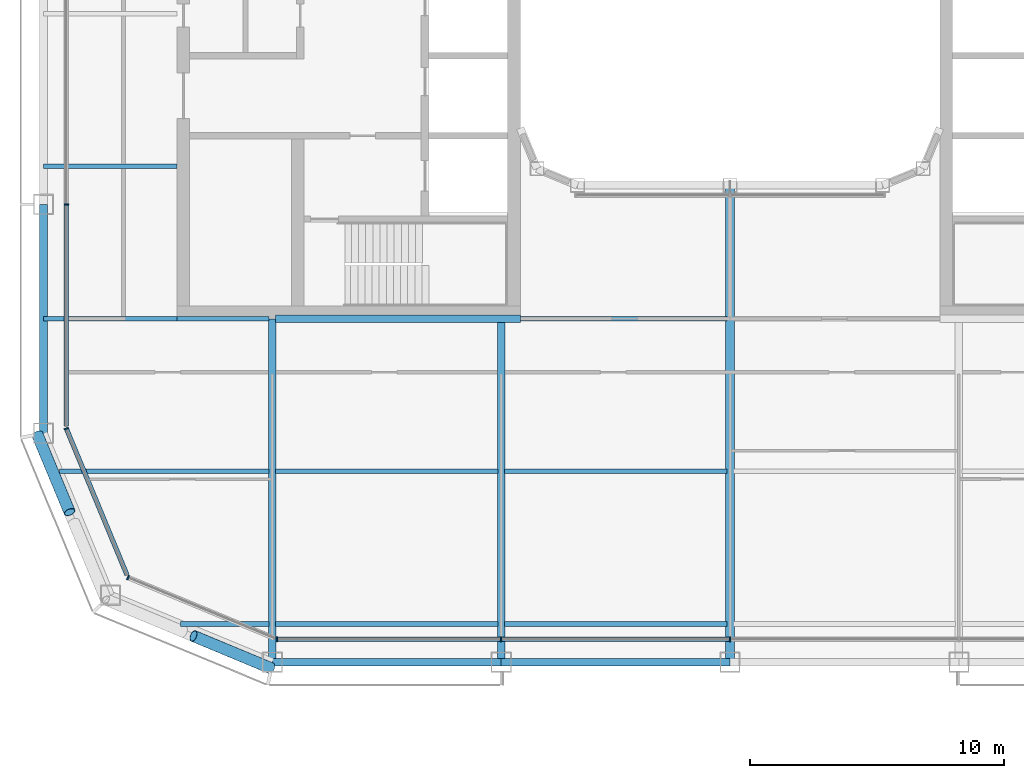
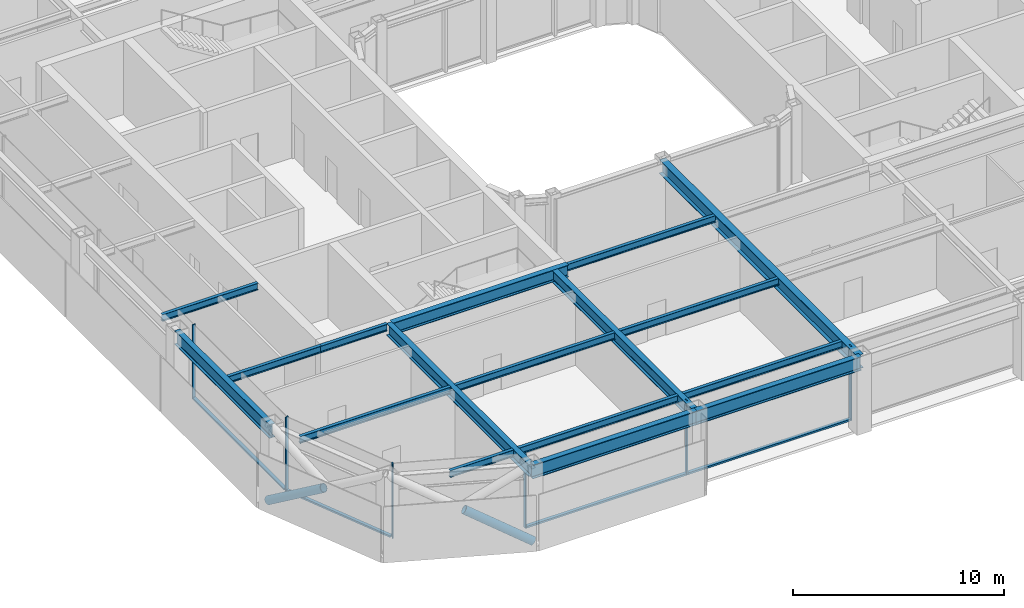
# One storey, part 2 of 23: 17 beams, 12 members, 4 elements without a shape of their own.
"""IFC4 building model written with IfcOpenShell, lengths in metres."""

from ifc_helpers import new_model, si_unit, direction, frame, origin, origin_2d, place, context, subcontext, project, spatial, rectangle, hollow_circle, i_section, extrude, material, layer, layer_set, material_profile, profile_set, type_object, element, aggregate, save


model = new_model("IFC4")

# Units and contexts
model_context = context("Model", 3, precision=1e-05, world=origin(), true_north=direction((0.0, 1.0)))
body_context = subcontext(model_context, "Body", "Model", "MODEL_VIEW")
ifc_project = project(units=[si_unit("LENGTHUNIT", "METRE"), si_unit("AREAUNIT", "SQUARE_METRE"), si_unit("VOLUMEUNIT", "CUBIC_METRE"), si_unit("PLANEANGLEUNIT", "RADIAN"), si_unit("MASSUNIT", "GRAM", prefix="KILO")], contexts=[model_context])

# Site, building, storey
site_placement = place(None, origin())
site = spatial("IfcSite", under=ifc_project, at=site_placement, CompositionType="ELEMENT")
building_placement = place(site_placement, origin())
building = spatial("IfcBuilding", under=site, at=building_placement, Name="Siwar Civic Tower", CompositionType="ELEMENT")
storey_placement = place(building_placement, frame((0.0, 0.0, 273.699951171875)))
storey = spatial("IfcBuildingStorey", under=building, at=storey_placement, Name="L59", CompositionType="ELEMENT", Elevation=273.699951171875)

# Curtain wall, members
ifc_material_1 = material(Name="Aluminium and glass", Category="aluminium")
ifc_layer_1 = layer(ifc_material_1, 0.179931640625)
ifc_layer_set_1 = layer_set([ifc_layer_1], Name="Aluminium and glass")
curtain_wall_type_1 = type_object("IfcCurtainWallType", Name="ENV-CW-C", PredefinedType="NOTDEFINED", material=ifc_layer_set_1)
curtain_wall_1_placement = place(storey_placement, origin())
curtain_wall_1 = element("IfcCurtainWall", 1, at=curtain_wall_1_placement, inside=storey, type_object=curtain_wall_type_1, Name="Curtain wall C S", PredefinedType="NOTDEFINED")
ifc_material_2 = material(Name="Aluminium 6063-T6", Category="aluminium")
ifc_material_profile_1 = material_profile(ifc_material_2, rectangle(XDim=0.179931640625, YDim=0.06005859375, at=origin_2d()), Name="AL 180x60")
ifc_profile_set_1 = profile_set([ifc_material_profile_1], Name="Aluminium 6063-T6")
member_type_1 = type_object("IfcMemberType", Name="ENV-MULLION-C", PredefinedType="MULLION", material=ifc_profile_set_1)
member_1_placement = place(storey_placement, frame((-17.821044921875, -26.10009765625, 0.0), z_axis=(0.0, 0.0, 1.0), x_axis=(0.0, 1.0, 0.0)))
member_1 = element("IfcMember", 2, at=member_1_placement, type_object=member_type_1, Name="Mullion C S 1", PredefinedType="MULLION", context=body_context, shape_type="SweptSolid", body=[
    extrude(rectangle(XDim=0.179931640625, YDim=0.06005859375, at=origin_2d()), origin(), (0.0, 0.0, 1.0), 4.300048828125),
])
member_2_placement = place(storey_placement, frame((-9.0, -26.10009765625, 0.0), z_axis=(0.0, 0.0, 1.0), x_axis=(0.0, 1.0, 0.0)))
member_2 = element("IfcMember", 3, at=member_2_placement, type_object=member_type_1, Name="Mullion C S 2", PredefinedType="MULLION", context=body_context, shape_type="SweptSolid", body=[
    extrude(rectangle(XDim=0.179931640625, YDim=0.06005859375, at=origin_2d()), origin(), (0.0, 0.0, 1.0), 4.300048828125),
])
member_3_placement = place(storey_placement, frame((0.0, -26.10009765625, 0.0), z_axis=(0.0, 0.0, 1.0), x_axis=(0.0, 1.0, 0.0)))
member_3 = element("IfcMember", 4, at=member_3_placement, type_object=member_type_1, Name="Mullion C S 3", PredefinedType="MULLION", context=body_context, shape_type="SweptSolid", body=[
    extrude(rectangle(XDim=0.179931640625, YDim=0.06005859375, at=origin_2d()), origin(), (0.0, 0.0, 1.0), 4.300048828125),
])

# Curtain wall, member
curtain_wall_2_placement = place(storey_placement, origin())
curtain_wall_2 = element("IfcCurtainWall", 5, at=curtain_wall_2_placement, inside=storey, type_object=curtain_wall_type_1, Name="Curtain wall C W", PredefinedType="NOTDEFINED")
member_4_placement = place(storey_placement, frame((-26.10009765625, -9.0, 0.0), z_axis=(0.0, 0.0, 1.0), x_axis=(1.0, 0.0, 0.0)))
member_4 = element("IfcMember", 6, at=member_4_placement, type_object=member_type_1, Name="Mullion C W 4", PredefinedType="MULLION", context=body_context, shape_type="SweptSolid", body=[
    extrude(rectangle(XDim=0.179931640625, YDim=0.06005859375, at=origin_2d()), origin(), (0.0, 0.0, 1.0), 4.300048828125),
])

ifc_material_3 = material(Name="Aluminium clad insulated panel", Category="aluminium")
ifc_layer_2 = layer(ifc_material_3, 0.179931640625)
ifc_layer_set_2 = layer_set([ifc_layer_2], Name="Aluminium clad insulated panel")
curtain_wall_type_2 = type_object("IfcCurtainWallType", Name="ENV-CW-CX", PredefinedType="NOTDEFINED", material=ifc_layer_set_2)
curtain_wall_3_placement = place(storey_placement, origin())
curtain_wall_3 = element("IfcCurtainWall", 7, at=curtain_wall_3_placement, inside=storey, type_object=curtain_wall_type_2, Name="Curtain wall C SW1", PredefinedType="NOTDEFINED")
member_5_placement = place(storey_placement, frame((-26.10009765625, -17.821044921875, 0.0), z_axis=(0.0, 0.0, 1.0), x_axis=(0.923879532511, 0.382683432365, 0.0)))
member_5 = element("IfcMember", 8, at=member_5_placement, type_object=member_type_1, Name="Mullion C SW1 1", PredefinedType="MULLION", context=body_context, shape_type="SweptSolid", body=[
    extrude(rectangle(XDim=0.179931640625, YDim=0.06005859375, at=origin_2d()), origin(), (0.0, 0.0, 1.0), 4.300048828125),
])

curtain_wall_4_placement = place(storey_placement, origin())
curtain_wall_4 = element("IfcCurtainWall", 9, at=curtain_wall_4_placement, inside=storey, type_object=curtain_wall_type_2, Name="Curtain wall C SW2", PredefinedType="NOTDEFINED")
member_6_placement = place(storey_placement, frame((-23.675048828125, -23.675048828125, 0.0), z_axis=(0.0, 0.0, 1.0), x_axis=(0.382683432365, 0.923879532511, 0.0)))
member_6 = element("IfcMember", 10, at=member_6_placement, type_object=member_type_1, Name="Mullion C SW2 1", PredefinedType="MULLION", context=body_context, shape_type="SweptSolid", body=[
    extrude(rectangle(XDim=0.179931640625, YDim=0.06005859375, at=origin_2d()), origin(), (0.0, 0.0, 1.0), 4.300048828125),
])
aggregate(curtain_wall_4, [member_6])

# Member
ifc_material_4 = material(Name="Aluminium 6063-T6", Category="aluminium")
ifc_material_profile_2 = material_profile(ifc_material_4, rectangle(XDim=0.179931640625, YDim=0.10009765625, at=origin_2d()), Name="AL 180x100")
ifc_profile_set_2 = profile_set([ifc_material_profile_2], Name="Aluminium 6063-T6")
member_type_2 = type_object("IfcMemberType", Name="ENV-TRANSOM-C", PredefinedType="USERDEFINED", material=ifc_profile_set_2)
member_7_placement = place(storey_placement, frame((-17.791015625, -26.10009765625, 0.050048828125), z_axis=(1.0, 0.0, 0.0), x_axis=(0.0, 1.0, 0.0)))
member_7 = element("IfcMember", 11, at=member_7_placement, type_object=member_type_2, Name="Transom C S 1", ObjectType="TRANSOM", PredefinedType="USERDEFINED", context=body_context, shape_type="SweptSolid", body=[
    extrude(rectangle(XDim=0.179931640625, YDim=0.10009765625, at=origin_2d()), origin(), (0.0, 0.0, 1.0), 8.760986328125),
])

member_8_placement = place(storey_placement, frame((-8.969970703125, -26.10009765625, 0.050048828125), z_axis=(1.0, 0.0, 0.0), x_axis=(0.0, 1.0, 0.0)))
member_8 = element("IfcMember", 12, at=member_8_placement, type_object=member_type_2, Name="Transom C S 2", ObjectType="TRANSOM", PredefinedType="USERDEFINED", context=body_context, shape_type="SweptSolid", body=[
    extrude(rectangle(XDim=0.179931640625, YDim=0.10009765625, at=origin_2d()), origin(), (0.0, 0.0, 1.0), 8.93994140625),
])

aggregate(curtain_wall_1, [member_1, member_2, member_3, member_7, member_8])

member_9_placement = place(storey_placement, frame((-26.10009765625, -9.030029296875, 0.050048828125), z_axis=(0.0, -1.0, 0.0), x_axis=(1.0, 0.0, 0.0)))
member_9 = element("IfcMember", 13, at=member_9_placement, type_object=member_type_2, Name="Transom C W 4", ObjectType="TRANSOM", PredefinedType="USERDEFINED", context=body_context, shape_type="SweptSolid", body=[
    extrude(rectangle(XDim=0.179931640625, YDim=0.10009765625, at=origin_2d()), origin(), (0.0, 0.0, 1.0), 8.68603515625),
])

aggregate(curtain_wall_2, [member_4, member_9])

member_10_placement = place(storey_placement, frame((-26.088623046875, -17.8486328125, 0.050048828125), z_axis=(0.38267744817, -0.923882011223, 0.0), x_axis=(0.923882011223, 0.38267744817, 0.0)))
member_10 = element("IfcMember", 14, at=member_10_placement, type_object=member_type_2, Name="Transom C SW1 1", ObjectType="TRANSOM", PredefinedType="USERDEFINED", context=body_context, shape_type="SweptSolid", body=[
    extrude(rectangle(XDim=0.179931640625, YDim=0.10009765625, at=origin_2d()), origin(), (0.0, 0.0, 1.0), 6.201904296875),
])

aggregate(curtain_wall_3, [member_5, member_10])

# Members
ifc_material_5 = material(Name="Steel S355", Category="steel")
ifc_material_profile_3 = material_profile(ifc_material_5, hollow_circle(Radius=0.228515625, WallThickness=0.02001953125, at=origin_2d()), Name="CHS457x20")
ifc_profile_set_3 = profile_set([ifc_material_profile_3], Name="Steel S355")
member_type_3 = type_object("IfcMemberType", Name="STR-BR-CHS457x20", PredefinedType="BRACE", material=ifc_profile_set_3)
for number, where, z_axis, x_axis, name in (
    (15, (-18.048828125, -27.2451171875, 0.0), (-0.777546448489, 0.323884455881, 0.538999424564), (-0.38452107079, -0.92311621485, 0.0), "L59/brc/CSW1-19-0-2"),
    (16, (-27.2451171875, -18.048828125, 0.0), (0.323884455881, -0.777546448489, 0.538999424564), (0.92311621485, 0.38452107079, 0.0), "L59/brc/CSW1-19-0-4"),
):
    element("IfcMember", number, at=place(storey_placement, frame(where, z_axis=z_axis, x_axis=x_axis)), inside=storey, type_object=member_type_3, Name=name, PredefinedType="BRACE", context=body_context, shape_type="SweptSolid", body=[
        extrude(hollow_circle(Radius=0.228515625, WallThickness=0.02001953125, at=origin_2d()), origin(), (0.0, 0.0, 1.0), 3.927978515625),
    ])

# Beams
ifc_material_6 = material(Name="Steel S355", Category="steel")
ifc_material_profile_4 = material_profile(ifc_material_6, i_section(OverallWidth=0.179931640625, OverallDepth=0.39990234375, WebThickness=0.008544921875, FlangeThickness=0.013427734375, FilletRadius=0.02099609375, at=origin_2d()), Name="IPE400")
ifc_profile_set_4 = profile_set([ifc_material_profile_4], Name="Steel S355")
beam_type_1 = type_object("IfcBeamType", Name="STR-FB-IPE400", PredefinedType="JOIST", material=ifc_profile_set_4)
beam_1_placement = place(storey_placement, frame((-21.621337890625, -25.5, 4.10009765625), z_axis=(1.0, 0.0, 0.0), x_axis=(0.0, 1.0, 0.0)))
element("IfcBeam", 17, at=beam_1_placement, inside=storey, type_object=beam_type_1, Name="L59/bm/F001", PredefinedType="JOIST", context=body_context, shape_type="SweptSolid", body=[
    extrude(i_section(OverallWidth=0.179931640625, OverallDepth=0.39990234375, WebThickness=0.008544921875, FlangeThickness=0.013427734375, FilletRadius=0.02099609375, at=origin_2d()), origin(), (0.0, 0.0, 1.0), 3.491455078125),
])
for number, where, z_axis, x_axis, name in (
    (18, (-17.8701171875, -25.5, 4.10009765625), (1.0, 0.0, 0.0), (0.0, 1.0, 0.0), "L59/bm/F002"),
    (19, (-8.8701171875, -25.5, 4.10009765625), (1.0, 0.0, 0.0), (0.0, 1.0, 0.0), "L59/bm/F003"),
):
    element("IfcBeam", number, at=place(storey_placement, frame(where, z_axis=z_axis, x_axis=x_axis)), inside=storey, type_object=beam_type_1, Name=name, PredefinedType="JOIST", context=body_context, shape_type="SweptSolid", body=[
        extrude(i_section(OverallWidth=0.179931640625, OverallDepth=0.39990234375, WebThickness=0.008544921875, FlangeThickness=0.013427734375, FilletRadius=0.02099609375, at=origin_2d()), origin(), (0.0, 0.0, 1.0), 8.740234375),
    ])
beam_2_placement = place(storey_placement, frame((-26.378662109375, -19.5, 4.10009765625), z_axis=(1.0, 0.0, 0.0), x_axis=(0.0, 1.0, 0.0)))
element("IfcBeam", 20, at=beam_2_placement, inside=storey, type_object=beam_type_1, Name="L59/bm/F007", PredefinedType="JOIST", context=body_context, shape_type="SweptSolid", body=[
    extrude(i_section(OverallWidth=0.179931640625, OverallDepth=0.39990234375, WebThickness=0.008544921875, FlangeThickness=0.013427734375, FilletRadius=0.02099609375, at=origin_2d()), origin(), (0.0, 0.0, 1.0), 8.248779296875),
])
for number, where, z_axis, x_axis, name in (
    (21, (-17.8701171875, -19.5, 4.10009765625), (1.0, 0.0, 0.0), (0.0, 1.0, 0.0), "L59/bm/F008"),
    (22, (-8.8701171875, -19.5, 4.10009765625), (1.0, 0.0, 0.0), (0.0, 1.0, 0.0), "L59/bm/F009"),
):
    element("IfcBeam", number, at=place(storey_placement, frame(where, z_axis=z_axis, x_axis=x_axis)), inside=storey, type_object=beam_type_1, Name=name, PredefinedType="JOIST", context=body_context, shape_type="SweptSolid", body=[
        extrude(i_section(OverallWidth=0.179931640625, OverallDepth=0.39990234375, WebThickness=0.008544921875, FlangeThickness=0.013427734375, FilletRadius=0.02099609375, at=origin_2d()), origin(), (0.0, 0.0, 1.0), 8.740234375),
    ])
beam_3_placement = place(storey_placement, frame((-27.0, -13.5, 4.10009765625), z_axis=(1.0, 0.0, 0.0), x_axis=(0.0, 1.0, 0.0)))
element("IfcBeam", 23, at=beam_3_placement, inside=storey, type_object=beam_type_1, Name="L59/bm/F013", PredefinedType="JOIST", context=body_context, shape_type="SweptSolid", body=[
    extrude(i_section(OverallWidth=0.179931640625, OverallDepth=0.39990234375, WebThickness=0.008544921875, FlangeThickness=0.013427734375, FilletRadius=0.02099609375, at=origin_2d()), origin(), (0.0, 0.0, 1.0), 5.25),
])
beam_4_placement = place(storey_placement, frame((-21.75, -13.5, 4.10009765625), z_axis=(1.0, 0.0, 0.0), x_axis=(0.0, 1.0, 0.0)))
element("IfcBeam", 24, at=beam_4_placement, inside=storey, type_object=beam_type_1, Name="L59/bm/F014", PredefinedType="JOIST", context=body_context, shape_type="SweptSolid", body=[
    extrude(i_section(OverallWidth=0.179931640625, OverallDepth=0.39990234375, WebThickness=0.008544921875, FlangeThickness=0.013427734375, FilletRadius=0.02099609375, at=origin_2d()), origin(), (0.0, 0.0, 1.0), 3.6201171875),
])
beam_5_placement = place(storey_placement, frame((-8.25, -13.5, 4.10009765625), z_axis=(1.0, 0.0, 0.0), x_axis=(0.0, 1.0, 0.0)))
element("IfcBeam", 25, at=beam_5_placement, inside=storey, type_object=beam_type_1, Name="L59/bm/F016", PredefinedType="JOIST", context=body_context, shape_type="SweptSolid", body=[
    extrude(i_section(OverallWidth=0.179931640625, OverallDepth=0.39990234375, WebThickness=0.008544921875, FlangeThickness=0.013427734375, FilletRadius=0.02099609375, at=origin_2d()), origin(), (0.0, 0.0, 1.0), 8.1201171875),
])
beam_6_placement = place(storey_placement, frame((-27.0, -7.5, 4.10009765625), z_axis=(1.0, 0.0, 0.0), x_axis=(0.0, 1.0, 0.0)))
element("IfcBeam", 26, at=beam_6_placement, inside=storey, type_object=beam_type_1, Name="L59/bm/F021", PredefinedType="JOIST", context=body_context, shape_type="SweptSolid", body=[
    extrude(i_section(OverallWidth=0.179931640625, OverallDepth=0.39990234375, WebThickness=0.008544921875, FlangeThickness=0.013427734375, FilletRadius=0.02099609375, at=origin_2d()), origin(), (0.0, 0.0, 1.0), 5.25),
])
ifc_material_7 = material(Name="Steel S355", Category="steel")
ifc_material_profile_5 = material_profile(ifc_material_7, i_section(OverallWidth=0.300048828125, OverallDepth=0.699951171875, WebThickness=0.01708984375, FlangeThickness=0.031982421875, FilletRadius=0.027099609375, at=origin_2d()), Name="HEB700")
ifc_profile_set_5 = profile_set([ifc_material_profile_5], Name="Steel S355")
beam_type_2 = type_object("IfcBeamType", Name="STR-PG-HEB700", PredefinedType="BEAM", material=ifc_profile_set_5)
for number, where, z_axis, x_axis, name in (
    (27, (-18.0, -27.0, 3.949951171875), (0.0, 1.0, 0.0), (-1.0, 0.0, 0.0), "L59/bm/G01"),
    (28, (-9.0, -27.0, 3.949951171875), (0.0, 1.0, 0.0), (-1.0, 0.0, 0.0), "L59/bm/G03"),
):
    element("IfcBeam", number, at=place(storey_placement, frame(where, z_axis=z_axis, x_axis=x_axis)), inside=storey, type_object=beam_type_2, Name=name, PredefinedType="BEAM", context=body_context, shape_type="SweptSolid", body=[
        extrude(i_section(OverallWidth=0.300048828125, OverallDepth=0.699951171875, WebThickness=0.01708984375, FlangeThickness=0.031982421875, FilletRadius=0.027099609375, at=origin_2d()), origin(), (0.0, 0.0, 1.0), 13.5),
    ])
beam_7_placement = place(storey_placement, frame((-17.8701171875, -13.5, 3.949951171875), z_axis=(1.0, 0.0, 0.0), x_axis=(0.0, 1.0, 0.0)))
element("IfcBeam", 29, at=beam_7_placement, inside=storey, type_object=beam_type_2, Name="L59/bm/F015", PredefinedType="BEAM", context=body_context, shape_type="SweptSolid", body=[
    extrude(i_section(OverallWidth=0.300048828125, OverallDepth=0.699951171875, WebThickness=0.01708984375, FlangeThickness=0.031982421875, FilletRadius=0.027099609375, at=origin_2d()), origin(), (0.0, 0.0, 1.0), 9.6201171875),
])
ifc_material_8 = material(Name="Steel S355", Category="steel")
ifc_material_profile_6 = material_profile(ifc_material_8, i_section(OverallWidth=0.360107421875, OverallDepth=0.800048828125, WebThickness=0.013916015625, FlangeThickness=0.031982421875, at=origin_2d()), Name="PG800x360x14x32")
ifc_profile_set_6 = profile_set([ifc_material_profile_6], Name="Steel S355")
beam_type_3 = type_object("IfcBeamType", Name="STR-PG-PG800x360x14x32", PredefinedType="BEAM", material=ifc_profile_set_6)
beam_8_placement = place(storey_placement, frame((0.0, -27.0, 3.900146484375), z_axis=(0.0, 1.0, 0.0), x_axis=(-1.0, 0.0, 0.0)))
element("IfcBeam", 30, at=beam_8_placement, inside=storey, type_object=beam_type_3, Name="L59/bm/G05", PredefinedType="BEAM", context=body_context, shape_type="SweptSolid", body=[
    extrude(i_section(OverallWidth=0.360107421875, OverallDepth=0.800048828125, WebThickness=0.013916015625, FlangeThickness=0.031982421875, at=origin_2d()), origin(), (0.0, 0.0, 1.0), 18.75),
])
ifc_material_9 = material(Name="Steel S355", Category="steel")
ifc_material_profile_7 = material_profile(ifc_material_9, i_section(OverallWidth=0.300048828125, OverallDepth=0.800048828125, WebThickness=0.017578125, FlangeThickness=0.032958984375, FilletRadius=0.030029296875, at=origin_2d()), Name="HEB800")
ifc_profile_set_7 = profile_set([ifc_material_profile_7], Name="Steel S355")
beam_type_4 = type_object("IfcBeamType", Name="STR-SB-HEB800", PredefinedType="BEAM", material=ifc_profile_set_7)
for number, where, z_axis, x_axis, name in (
    (31, (-18.0, -27.0, 3.900146484375), (1.0, 0.0, 0.0), (0.0, 1.0, 0.0), "L59/bm/SS-0"),
    (32, (-9.0, -27.0, 3.900146484375), (1.0, 0.0, 0.0), (0.0, 1.0, 0.0), "L59/bm/SS-1"),
    (33, (-27.0, -9.0, 3.900146484375), (0.0, -1.0, 0.0), (1.0, 0.0, 0.0), "L59/bm/SW-3"),
):
    element("IfcBeam", number, at=place(storey_placement, frame(where, z_axis=z_axis, x_axis=x_axis)), inside=storey, type_object=beam_type_4, Name=name, PredefinedType="BEAM", context=body_context, shape_type="SweptSolid", body=[
        extrude(i_section(OverallWidth=0.300048828125, OverallDepth=0.800048828125, WebThickness=0.017578125, FlangeThickness=0.032958984375, FilletRadius=0.030029296875, at=origin_2d()), origin(), (0.0, 0.0, 1.0), 9.0),
    ])

save(model, "model.ifc")
